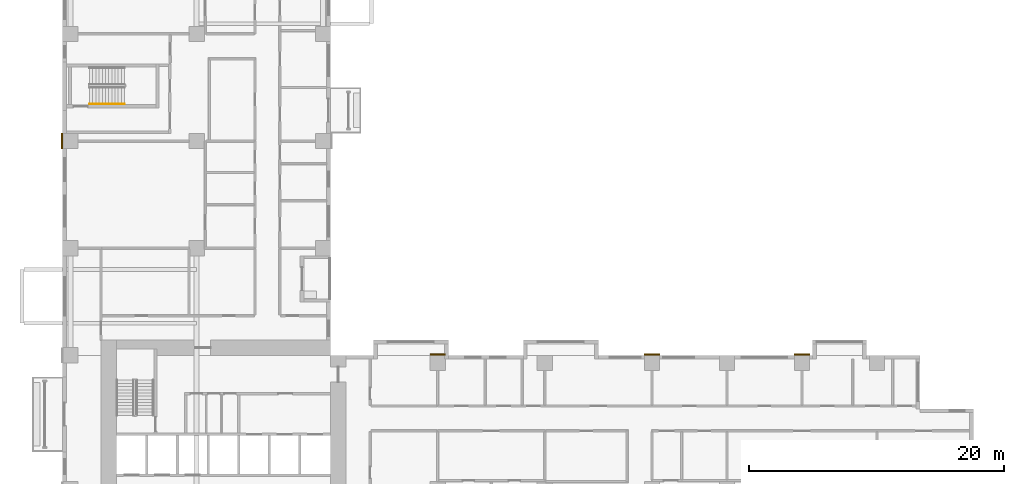
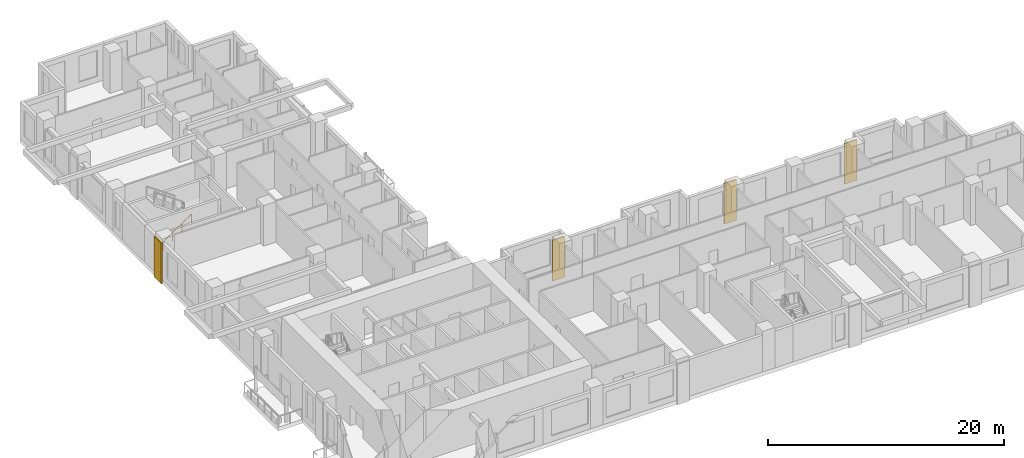
# One storey, part 12 of 14: 4 coverings, 1 railing.
"""IFC4 building model written with IfcOpenShell, lengths in metres."""

from ifc_helpers import new_model, si_unit, direction, frame, origin, origin_2d, place, context, subcontext, project, spatial, rectangle, circle, extrude, source, transform, mapped, material, type_object, element, save


model = new_model("IFC4")

# Units and contexts
model_context = context("Model", 3, precision=1e-05, world=origin(), true_north=direction((0.0, 1.0)))
body_context = subcontext(model_context, "Body", "Model", "MODEL_VIEW")
ifc_project = project(units=[si_unit("LENGTHUNIT", "METRE"), si_unit("AREAUNIT", "SQUARE_METRE"), si_unit("VOLUMEUNIT", "CUBIC_METRE"), si_unit("PLANEANGLEUNIT", "RADIAN"), si_unit("MASSUNIT", "GRAM", prefix="KILO")], contexts=[model_context])

# Site, building, storey
site_placement = place(None, origin())
site = spatial("IfcSite", under=ifc_project, at=site_placement, CompositionType="ELEMENT")
building_placement = place(site_placement, origin())
building = spatial("IfcBuilding", under=site, at=building_placement, Name="Aurelian Terraces", CompositionType="ELEMENT")
storey_placement = place(building_placement, frame((0.0, 0.0, 40.5)))
storey = spatial("IfcBuildingStorey", under=building, at=storey_placement, Name="L07", CompositionType="ELEMENT", Elevation=40.5)

# Railing
ifc_material_1 = material(Name="Stainless steel", Category="steel")
railing_type = type_object("IfcRailingType", Name="Stair handrail", PredefinedType="HANDRAIL", material=ifc_material_1)
railing_placement = place(storey_placement, frame((2.1, 40.7, 0.175)))
element("IfcRailing", 1, at=railing_placement, inside=storey, type_object=railing_type, Name="L07 S3 stair handrail 1", PredefinedType="HANDRAIL", context=body_context, shape_type="SweptSolid", body=[
    extrude(circle(Radius=0.024, at=origin_2d()), frame((0.0, 0.0, 0.876), z_axis=(0.819231920519, 0.0, 0.573462344363), x_axis=(0.0, 1.0, 0.0)), (0.0, 0.0, 1.0), 3.3568),
    extrude(circle(Radius=0.021, at=origin_2d()), origin(), (0.0, 0.0, 1.0), 0.852),
    extrude(circle(Radius=0.021, at=origin_2d()), frame((0.9167, 0.0, 0.6417)), (0.0, 0.0, 1.0), 0.852),
    extrude(circle(Radius=0.021, at=origin_2d()), frame((1.8333, 0.0, 1.2833)), (0.0, 0.0, 1.0), 0.852),
    extrude(circle(Radius=0.021, at=origin_2d()), frame((2.75, 0.0, 1.925)), (0.0, 0.0, 1.0), 0.852),
])

# Coverings
ifc_material_2 = material(Name="Terracotta rainscreen cladding relief", Category="masonry")
covering_type = type_object("IfcCoveringType", Name="BAGUETTE-TC", PredefinedType="CLADDING", material=ifc_material_2)
shared_shape_1 = source(origin(), body_context, "Body", "SweptSolid", [
    extrude(rectangle(XDim=1.2, YDim=0.12, at=origin_2d()), origin(), (0.0, 0.0, 1.0), 4.2),
])
for number, where, z_axis, x_axis, name in (
    (2, (29.4, 21.06, -0.4), (0.0, 0.0, 1.0), (1.0, 0.0, 0.0), "BAGUETTE pier L07 6"),
    (3, (46.2, 21.06, -0.4), (0.0, 0.0, 1.0), (1.0, 0.0, 0.0), "BAGUETTE pier L07 7"),
    (4, (57.96, 21.06, -0.4), (0.0, 0.0, 1.0), (1.0, 0.0, 0.0), "BAGUETTE pier L07 8"),
):
    element("IfcCovering", number, at=place(storey_placement, frame(where, z_axis=z_axis, x_axis=x_axis)), inside=storey, type_object=covering_type, Name=name, PredefinedType="CLADDING", context=body_context, shape_type="MappedRepresentation", body=[
        mapped(shared_shape_1, transform((0.0, 0.0, 0.0), scale=1.0)),
    ])
shared_shape_2 = source(origin(), body_context, "Body", "SweptSolid", [
    extrude(rectangle(XDim=0.12, YDim=1.2, at=origin_2d()), origin(), (0.0, 0.0, 1.0), 4.2),
])
covering_placement = place(storey_placement, frame((-0.06, 37.8, -0.4), z_axis=(0.0, 0.0, 1.0), x_axis=(1.0, 0.0, 0.0)))
element("IfcCovering", 5, at=covering_placement, inside=storey, type_object=covering_type, Name="BAGUETTE pier L07 10", PredefinedType="CLADDING", context=body_context, shape_type="MappedRepresentation", body=[
    mapped(shared_shape_2, transform((0.0, 0.0, 0.0), scale=1.0)),
])

save(model, "model.ifc")
